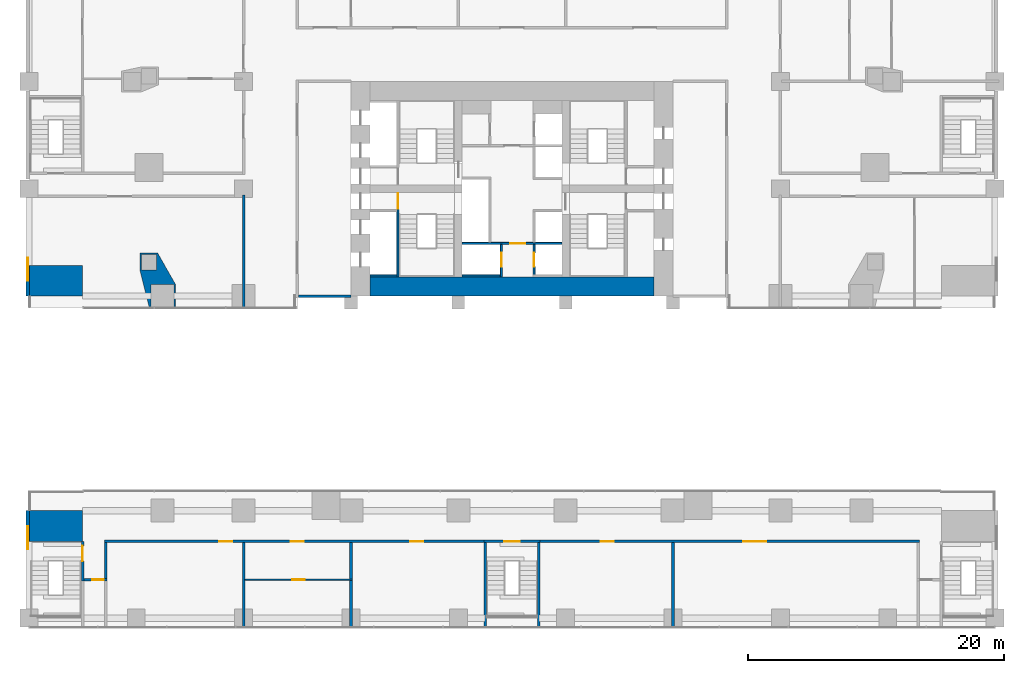
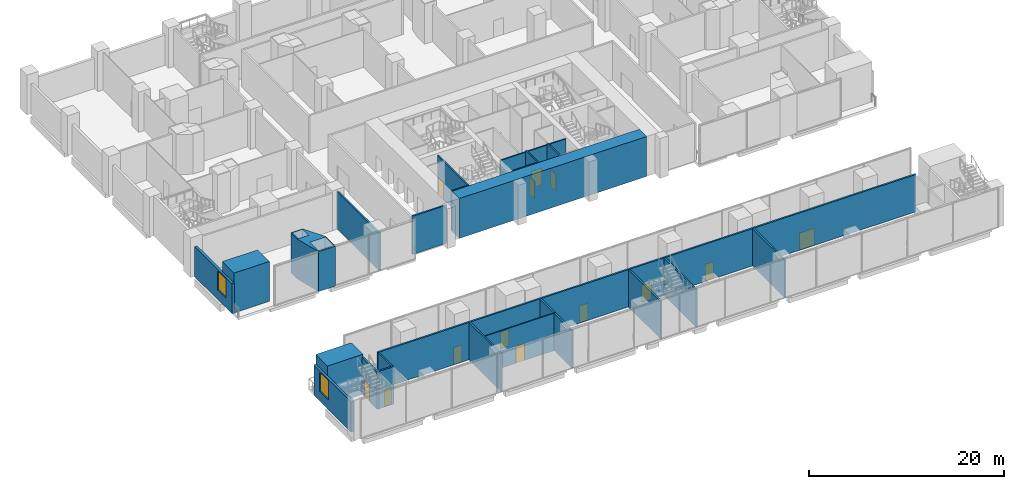
# One storey, part 11 of 24: 26 walls, 13 doors, 2 windows, 15 openings.
"""IFC4 building model written with IfcOpenShell, lengths in metres."""

from ifc_helpers import new_model, si_unit, direction, frame, frame_2d, origin, place, context, subcontext, project, spatial, polyline, rectangle, outline, extrude, material, layer, layer_set, type_object, element, fill, save


model = new_model("IFC4")

# Units and contexts
model_context = context("Model", 3, precision=1e-05, world=origin(), true_north=direction((0.0, 1.0)))
body_context = subcontext(model_context, "Body", "Model", "MODEL_VIEW")
ifc_project = project(units=[si_unit("LENGTHUNIT", "METRE"), si_unit("AREAUNIT", "SQUARE_METRE"), si_unit("VOLUMEUNIT", "CUBIC_METRE"), si_unit("PLANEANGLEUNIT", "RADIAN"), si_unit("MASSUNIT", "GRAM", prefix="KILO")], contexts=[model_context])

# Site, building, storey
site_placement = place(None, origin())
site = spatial("IfcSite", under=ifc_project, at=site_placement, CompositionType="ELEMENT")
building_placement = place(site_placement, origin())
building = spatial("IfcBuilding", under=site, at=building_placement, Name="Marenta Gate Hotel Tower", CompositionType="ELEMENT")
storey_placement = place(building_placement, frame((0.0, 0.0, 8.0)))
storey = spatial("IfcBuildingStorey", under=building, at=storey_placement, Name="L01", CompositionType="ELEMENT", Elevation=8.0)

# Wall, opening, window
ifc_material_1 = material(Name="Concrete C40 board-marked", Category="concrete")
ifc_layer_1 = layer(ifc_material_1, 0.300048828125)
ifc_layer_set_1 = layer_set([ifc_layer_1], Name="Concrete C40 board-marked")
wall_type_1 = type_object("IfcWallType", Name="Board-marked concrete wall 300 mm", PredefinedType="NOTDEFINED", material=ifc_layer_set_1)
wall_1_placement = place(storey_placement, frame((-37.889892578125, -16.800048828125, 0.0), z_axis=(0.0, 0.0, 1.0), x_axis=(0.0, -1.0, 0.0)))
wall_1 = element("IfcWall", 1, at=wall_1_placement, inside=storey, type_object=wall_type_1, Name="L01-CLD-SB-W000", PredefinedType="NOTDEFINED", context=body_context, shape_type="SweptSolid", body=[
    extrude(rectangle(XDim=7.659912109375, YDim=0.300048828125, at=frame_2d((3.830078125, 0.0))), origin(), (0.0, 0.0, 1.0), 3.780029296875),
])
opening_1_placement = place(wall_1_placement, frame((1.199951171875, 0.0, 1.199951171875)))
opening_1 = element("IfcOpeningElement", 2, at=opening_1_placement, cuts=wall_1, Name="Opening W5", PredefinedType="OPENING", context=body_context, shape_type="SweptSolid", body=[
    extrude(rectangle(XDim=1.800048828125, YDim=2.39990234375, at=frame_2d((0.89990234375, 1.199951171875))), frame((0.0, 0.14990234375, 0.0), z_axis=(0.0, -1.0, 0.0), x_axis=(1.0, 0.0, 0.0)), (0.0, 0.0, 1.0), 0.300048828125),
])
ifc_material_2 = material(Name="Tinted insulated glass in bronze anodised frame", Category="glass")
window_type = type_object("IfcWindowType", Name="Window W5 1800x2400 bronze frame", PartitioningType="SINGLE_PANEL", PredefinedType="WINDOW", material=ifc_material_2)
window_1_placement = place(opening_1_placement, origin())
window_1 = element("IfcWindow", 3, at=window_1_placement, inside=storey, type_object=window_type, Name="Window W5", OverallHeight=2.39990234375, OverallWidth=1.800048828125, PartitioningType="SINGLE_PANEL", PredefinedType="WINDOW", context=body_context, shape_type="SweptSolid", body=[
    extrude(rectangle(XDim=1.800048828125, YDim=2.39990234375, at=frame_2d((0.89990234375, 1.199951171875))), frame((0.0, 0.030029296875, 0.0), z_axis=(0.0, -1.0, 0.0), x_axis=(1.0, 0.0, 0.0)), (0.0, 0.0, 1.0), 0.06005859375),
])
fill(opening_1, window_1)

wall_2_placement = place(storey_placement, frame((-37.889892578125, 7.659912109375, 0.0), z_axis=(0.0, 0.0, 1.0), x_axis=(0.0, -1.0, 0.0)))
wall_2 = element("IfcWall", 4, at=wall_2_placement, inside=storey, type_object=wall_type_1, Name="L01-CLD-NB-W004", PredefinedType="NOTDEFINED", context=body_context, shape_type="SweptSolid", body=[
    extrude(rectangle(XDim=7.659912109375, YDim=0.300048828125, at=frame_2d((3.830078125, 0.0))), origin(), (0.0, 0.0, 1.0), 3.780029296875),
])
opening_2_placement = place(wall_2_placement, frame((4.659912109375, 0.0, 1.199951171875)))
opening_2 = element("IfcOpeningElement", 5, at=opening_2_placement, cuts=wall_2, Name="Opening W5", PredefinedType="OPENING", context=body_context, shape_type="SweptSolid", body=[
    extrude(rectangle(XDim=1.800048828125, YDim=2.39990234375, at=frame_2d((0.89990234375, 1.199951171875))), frame((0.0, 0.14990234375, 0.0), z_axis=(0.0, -1.0, 0.0), x_axis=(1.0, 0.0, 0.0)), (0.0, 0.0, 1.0), 0.300048828125),
])
window_2_placement = place(opening_2_placement, origin())
window_2 = element("IfcWindow", 6, at=window_2_placement, inside=storey, type_object=window_type, Name="Window W5", OverallHeight=2.39990234375, OverallWidth=1.800048828125, PartitioningType="SINGLE_PANEL", PredefinedType="WINDOW", context=body_context, shape_type="SweptSolid", body=[
    extrude(rectangle(XDim=1.800048828125, YDim=2.39990234375, at=frame_2d((0.89990234375, 1.199951171875))), frame((0.0, 0.030029296875, 0.0), z_axis=(0.0, -1.0, 0.0), x_axis=(1.0, 0.0, 0.0)), (0.0, 0.0, 1.0), 0.06005859375),
])
fill(opening_2, window_2)

# Wall
ifc_material_3 = material(Name="Concrete blockwork", Category="masonry")
ifc_layer_2 = layer(ifc_material_3, 0.199951171875)
ifc_layer_set_2 = layer_set([ifc_layer_2], Name="Concrete blockwork")
wall_type_2 = type_object("IfcWallType", Name="Core boundary wall 200 REI 180", PredefinedType="PARTITIONING", material=ifc_layer_set_2)
wall_3_placement = place(storey_placement, frame((-16.699951171875, 0.0, 0.0), z_axis=(0.0, 0.0, 1.0), x_axis=(1.0, 0.0, 0.0)))
element("IfcWall", 7, at=wall_3_placement, inside=storey, type_object=wall_type_2, Name="L01-CP-EW-WS", PredefinedType="PARTITIONING", context=body_context, shape_type="SweptSolid", body=[
    extrude(rectangle(XDim=4.099853515625, YDim=0.199951171875, at=frame_2d((2.0498046875, 0.0))), origin(), (0.0, 0.0, 1.0), 4.780029296875),
])

# Wall, opening, door
ifc_material_4 = material(Name="Concrete blockwork", Category="masonry")
ifc_layer_3 = layer(ifc_material_4, 0.14990234375)
ifc_layer_set_3 = layer_set([ifc_layer_3], Name="Concrete blockwork")
wall_type_3 = type_object("IfcWallType", Name="Core lobby partition 150 REI 180", PredefinedType="PARTITIONING", material=ifc_layer_set_3)
wall_4_placement = place(storey_placement, frame((-3.89990234375, 4.125, 0.0), z_axis=(0.0, 0.0, 1.0), x_axis=(1.0, 0.0, 0.0)))
wall_4 = element("IfcWall", 8, at=wall_4_placement, inside=storey, type_object=wall_type_3, Name="L01-CP-CW-S", PredefinedType="PARTITIONING", context=body_context, shape_type="SweptSolid", body=[
    extrude(rectangle(XDim=7.7998046875, YDim=0.14990234375, at=frame_2d((3.89990234375, 0.0))), origin(), (0.0, 0.0, 1.0), 4.780029296875),
])
opening_3_placement = place(wall_4_placement, frame((3.75, 0.0, 0.0)))
opening_3 = element("IfcOpeningElement", 9, at=opening_3_placement, cuts=wall_4, Name="Opening FD-FFS", PredefinedType="OPENING", context=body_context, shape_type="SweptSolid", body=[
    extrude(rectangle(XDim=1.199951171875, YDim=2.10009765625, at=frame_2d((0.60009765625, 1.050048828125))), frame((0.0, 0.074951171875, 0.0), z_axis=(0.0, -1.0, 0.0), x_axis=(1.0, 0.0, 0.0)), (0.0, 0.0, 1.0), 0.14990234375),
])
ifc_material_5 = material(Name="Steel", Category="steel")
door_type_1 = type_object("IfcDoorType", Name="Core lobby door 1200x2100 FD60", OperationType="SINGLE_SWING_LEFT", PredefinedType="DOOR", material=ifc_material_5)
door_1_placement = place(opening_3_placement, origin())
door_1 = element("IfcDoor", 10, at=door_1_placement, inside=storey, type_object=door_type_1, Name="FD-FFS", OperationType="SINGLE_SWING_LEFT", OverallHeight=2.10009765625, OverallWidth=1.199951171875, PredefinedType="DOOR", context=body_context, shape_type="SweptSolid", body=[
    extrude(rectangle(XDim=1.199951171875, YDim=2.10009765625, at=frame_2d((0.60009765625, 1.050048828125))), frame((0.0, 0.02490234375, 0.0), z_axis=(0.0, -1.0, 0.0), x_axis=(1.0, 0.0, 0.0)), (0.0, 0.0, 1.0), 0.050048828125),
])
fill(opening_3, door_1)

# Wall
ifc_material_6 = material(Name="Concrete C40", Category="concrete")
ifc_layer_4 = layer(ifc_material_6, 0.14990234375)
ifc_layer_set_4 = layer_set([ifc_layer_4], Name="Concrete C40")
wall_type_4 = type_object("IfcWallType", Name="Core shaft wall 150 REI 180", PredefinedType="SHEAR", material=ifc_layer_set_4)
wall_5_placement = place(storey_placement, frame((-11.10009765625, 1.574951171875, 0.0), z_axis=(0.0, 0.0, 1.0), x_axis=(1.0, 0.0, 0.0)))
element("IfcWall", 11, at=wall_5_placement, inside=storey, type_object=wall_type_4, Name="L01-SHF-SW-WS-5", PredefinedType="SHEAR", context=body_context, shape_type="SweptSolid", body=[
    extrude(rectangle(XDim=2.10009765625, YDim=0.14990234375, at=frame_2d((1.050048828125, 0.0))), origin(), (0.0, 0.0, 1.0), 5.0),
])

# Wall, opening, door
wall_6_placement = place(storey_placement, frame((-0.824951171875, 1.5, 0.0), z_axis=(0.0, 0.0, 1.0), x_axis=(0.0, 1.0, 0.0)))
wall_6 = element("IfcWall", 12, at=wall_6_placement, inside=storey, type_object=wall_type_4, Name="L01-SHF-CW-W-ff", PredefinedType="SHEAR", context=body_context, shape_type="SweptSolid", body=[
    extrude(rectangle(XDim=2.550048828125, YDim=0.14990234375, at=frame_2d((1.27490234375, 0.0))), origin(), (0.0, 0.0, 1.0), 5.0),
])
opening_4_placement = place(wall_6_placement, frame((0.800048828125, 0.0, 0.0)))
opening_4 = element("IfcOpeningElement", 13, at=opening_4_placement, cuts=wall_6, Name="Opening LD-FF1", PredefinedType="OPENING", context=body_context, shape_type="SweptSolid", body=[
    extrude(rectangle(XDim=1.10009765625, YDim=2.10009765625, at=frame_2d((0.550048828125, 1.050048828125))), frame((0.0, 0.074951171875, 0.0), z_axis=(0.0, -1.0, 0.0), x_axis=(1.0, 0.0, 0.0)), (0.0, 0.0, 1.0), 0.14990234375),
])
ifc_material_7 = material(Name="Steel", Category="steel")
door_type_2 = type_object("IfcDoorType", Name="Core lift landing door 1100x2100 E 60", OperationType="SLIDING_TO_LEFT", PredefinedType="DOOR", material=ifc_material_7)
door_2_placement = place(opening_4_placement, origin())
door_2 = element("IfcDoor", 14, at=door_2_placement, inside=storey, type_object=door_type_2, Name="LD-FF1", OperationType="SLIDING_TO_LEFT", OverallHeight=2.10009765625, OverallWidth=1.10009765625, PredefinedType="DOOR", context=body_context, shape_type="SweptSolid", body=[
    extrude(rectangle(XDim=1.10009765625, YDim=2.10009765625, at=frame_2d((0.550048828125, 1.050048828125))), frame((0.0, 0.02490234375, 0.0), z_axis=(0.0, -1.0, 0.0), x_axis=(1.0, 0.0, 0.0)), (0.0, 0.0, 1.0), 0.050048828125),
])
fill(opening_4, door_2)

# Wall
wall_7_placement = place(storey_placement, frame((-3.89990234375, 1.574951171875, 0.0), z_axis=(0.0, 0.0, 1.0), x_axis=(1.0, 0.0, 0.0)))
element("IfcWall", 15, at=wall_7_placement, inside=storey, type_object=wall_type_4, Name="L01-SHF-CW-W-ffs", PredefinedType="SHEAR", context=body_context, shape_type="SweptSolid", body=[
    extrude(rectangle(XDim=3.0, YDim=0.14990234375, at=frame_2d((1.5, 0.0))), origin(), (0.0, 0.0, 1.0), 5.0),
])

# Wall, opening, door
wall_8_placement = place(storey_placement, frame((1.72509765625, 1.64990234375, 0.0), z_axis=(0.0, 0.0, 1.0), x_axis=(0.0, 1.0, 0.0)))
wall_8 = element("IfcWall", 16, at=wall_8_placement, inside=storey, type_object=wall_type_4, Name="L01-SHF-CE-S-ls", PredefinedType="SHEAR", context=body_context, shape_type="SweptSolid", body=[
    extrude(rectangle(XDim=2.400146484375, YDim=0.14990234375, at=frame_2d((1.2001953125, 0.0))), origin(), (0.0, 0.0, 1.0), 5.0),
])
opening_5_placement = place(wall_8_placement, frame((0.64990234375, 0.0, 0.0)))
opening_5 = element("IfcOpeningElement", 17, at=opening_5_placement, cuts=wall_8, Name="Opening LD-SV1", PredefinedType="OPENING", context=body_context, shape_type="SweptSolid", body=[
    extrude(rectangle(XDim=1.10009765625, YDim=2.10009765625, at=frame_2d((0.550048828125, 1.050048828125))), frame((0.0, 0.074951171875, 0.0), z_axis=(0.0, -1.0, 0.0), x_axis=(1.0, 0.0, 0.0)), (0.0, 0.0, 1.0), 0.14990234375),
])
door_3_placement = place(opening_5_placement, origin())
door_3 = element("IfcDoor", 18, at=door_3_placement, inside=storey, type_object=door_type_2, Name="LD-SV1", OperationType="SLIDING_TO_LEFT", OverallHeight=2.10009765625, OverallWidth=1.10009765625, PredefinedType="DOOR", context=body_context, shape_type="SweptSolid", body=[
    extrude(rectangle(XDim=1.10009765625, YDim=2.10009765625, at=frame_2d((0.550048828125, 1.050048828125))), frame((0.0, 0.02490234375, 0.0), z_axis=(0.0, -1.0, 0.0), x_axis=(1.0, 0.0, 0.0)), (0.0, 0.0, 1.0), 0.050048828125),
])
fill(opening_5, door_3)

ifc_material_8 = material(Name="Concrete C40", Category="concrete")
ifc_layer_5 = layer(ifc_material_8, 0.14990234375)
ifc_layer_set_5 = layer_set([ifc_layer_5], Name="Concrete C40")
wall_type_5 = type_object("IfcWallType", Name="Core stair enclosure wall 150 REI 180", PredefinedType="SHEAR", material=ifc_layer_set_5)
wall_9_placement = place(storey_placement, frame((-8.925048828125, 1.5, 0.0), z_axis=(0.0, 0.0, 1.0), x_axis=(0.0, 1.0, 0.0)))
wall_9 = element("IfcWall", 19, at=wall_9_placement, inside=storey, type_object=wall_type_5, Name="L01-SHF-SW-WS-3", PredefinedType="SHEAR", context=body_context, shape_type="SweptSolid", body=[
    extrude(rectangle(XDim=6.60009765625, YDim=0.14990234375, at=frame_2d((3.300048828125, 0.0))), origin(), (0.0, 0.0, 1.0), 4.780029296875),
])
opening_6_placement = place(wall_9_placement, frame((5.324951171875, 0.0, 0.0)))
opening_6 = element("IfcOpeningElement", 20, at=opening_6_placement, cuts=wall_9, Name="Opening SD-WS", PredefinedType="OPENING", context=body_context, shape_type="SweptSolid", body=[
    extrude(rectangle(XDim=1.199951171875, YDim=2.10009765625, at=frame_2d((0.60009765625, 1.050048828125))), frame((0.0, 0.074951171875, 0.0), z_axis=(0.0, -1.0, 0.0), x_axis=(1.0, 0.0, 0.0)), (0.0, 0.0, 1.0), 0.14990234375),
])
ifc_material_9 = material(Name="Steel", Category="steel")
door_type_3 = type_object("IfcDoorType", Name="Core stair door 1200x2100 FD60", OperationType="SINGLE_SWING_LEFT", PredefinedType="DOOR", material=ifc_material_9)
door_4_placement = place(opening_6_placement, origin())
door_4 = element("IfcDoor", 21, at=door_4_placement, inside=storey, type_object=door_type_3, Name="SD-WS", OperationType="SINGLE_SWING_LEFT", OverallHeight=2.10009765625, OverallWidth=1.199951171875, PredefinedType="DOOR", context=body_context, shape_type="SweptSolid", body=[
    extrude(rectangle(XDim=1.199951171875, YDim=2.10009765625, at=frame_2d((0.60009765625, 1.050048828125))), frame((0.0, 0.02490234375, 0.0), z_axis=(0.0, -1.0, 0.0), x_axis=(1.0, 0.0, 0.0)), (0.0, 0.0, 1.0), 0.050048828125),
])
fill(opening_6, door_4)

# Walls
ifc_material_10 = material(Name="Concrete C80", Category="concrete")
ifc_layer_6 = layer(ifc_material_10, 1.5)
ifc_layer_set_6 = layer_set([ifc_layer_6], Name="Concrete C80")
wall_type_6 = type_object("IfcWallType", Name="Core wall 1500 C80", PredefinedType="SHEAR", material=ifc_layer_set_6)
wall_10_placement = place(storey_placement, frame((-11.10009765625, 0.75, 0.0), z_axis=(0.0, 0.0, 1.0), x_axis=(1.0, 0.0, 0.0)))
element("IfcWall", 22, at=wall_10_placement, inside=storey, type_object=wall_type_6, Name="L01-CORE-S", PredefinedType="SHEAR", context=body_context, shape_type="SweptSolid", body=[
    extrude(rectangle(XDim=22.2001953125, YDim=1.5, at=frame_2d((11.10009765625, 0.0))), origin(), (0.0, 0.0, 1.0), 5.0),
])
ifc_material_11 = material(Name="Concrete C80", Category="concrete")
ifc_layer_7 = layer(ifc_material_11, 2.39990234375)
ifc_layer_set_7 = layer_set([ifc_layer_7], Name="Concrete C80")
wall_type_7 = type_object("IfcWallType", Name="Gate pier wall 2400 C80", PredefinedType="SOLIDWALL", material=ifc_layer_set_7)
for number, where, z_axis, x_axis, name in (
    (23, (-37.800048828125, -18.0, 0.0), (0.0, 0.0, 1.0), (1.0, 0.0, 0.0), "PW1 L01-PWL-WS"),
    (24, (-37.800048828125, 1.199951171875, 0.0), (0.0, 0.0, 1.0), (1.0, 0.0, 0.0), "PW1 L01-PWL-WN"),
):
    element("IfcWall", number, at=place(storey_placement, frame(where, z_axis=z_axis, x_axis=x_axis)), inside=storey, type_object=wall_type_7, Name=name, PredefinedType="SOLIDWALL", context=body_context, shape_type="SweptSolid", body=[
        extrude(rectangle(XDim=4.199951171875, YDim=2.39990234375, at=frame_2d((2.10009765625, 0.0))), origin(), (0.0, 0.0, 1.0), 5.0),
    ])
ifc_material_12 = material(Name="Concrete C70", Category="concrete")
ifc_layer_8 = layer(ifc_material_12, 1.60009765625)
ifc_layer_set_8 = layer_set([ifc_layer_8], Name="Concrete C70")
wall_type_8 = type_object("IfcWallType", Name="Pier wall board-marked concrete C70", PredefinedType="SOLIDWALL", material=ifc_layer_set_8)
wall_11_placement = place(storey_placement, origin())
element("IfcWall", 25, at=wall_11_placement, inside=storey, type_object=wall_type_8, Name="L01-PIER-1", PredefinedType="SOLIDWALL", context=body_context, shape_type="SweptSolid", body=[
    extrude(outline(polyline([(-29.1201171875, 2.034423828125), (-29.1201171875, 3.369140625), (-27.730224609375, 3.369140625), (-26.343017578125, 0.931640625), (-26.343017578125, -1.02001953125), (-28.356689453125, -1.02001953125), (-29.1201171875, 2.034423828125)]), holes=[polyline([(-28.262939453125, -0.89990234375), (-26.462890625, -0.89990234375), (-26.462890625, 0.89990234375), (-28.262939453125, 0.89990234375), (-28.262939453125, -0.89990234375)]), polyline([(-29.0, 2.049072265625), (-27.800048828125, 2.049072265625), (-27.800048828125, 3.2490234375), (-29.0, 3.2490234375), (-29.0, 2.049072265625)])]), origin(), (0.0, 0.0, 1.0), 5.0),
])

# Wall, openings, doors
ifc_material_13 = material(Name="Gypsum board on steel stud", Category="steel")
ifc_layer_9 = layer(ifc_material_13, 0.199951171875)
ifc_layer_set_9 = layer_set([ifc_layer_9], Name="Gypsum board on steel stud")
wall_type_9 = type_object("IfcWallType", Name="Room corridor wall 200 EI 60", PredefinedType="PARTITIONING", material=ifc_layer_set_9)
wall_12_placement = place(storey_placement, frame((-31.89990234375, -19.199951171875, 0.0), z_axis=(0.0, 0.0, 1.0), x_axis=(1.0, 0.0, 0.0)))
wall_12 = element("IfcWall", 26, at=wall_12_placement, inside=storey, type_object=wall_type_9, Name="L01-PTN-W017", PredefinedType="PARTITIONING", context=body_context, shape_type="SweptSolid", body=[
    extrude(rectangle(XDim=29.699951171875, YDim=0.199951171875, at=frame_2d((14.85009765625, 0.0))), origin(), (0.0, 0.0, 1.0), 4.679931640625),
])
opening_7_placement = place(wall_12_placement, frame((9.0, 0.0, 0.0)))
opening_7 = element("IfcOpeningElement", 27, at=opening_7_placement, cuts=wall_12, Name="Opening S02-29", PredefinedType="OPENING", context=body_context, shape_type="SweptSolid", body=[
    extrude(rectangle(XDim=1.0, YDim=2.10009765625, at=frame_2d((0.5, 1.050048828125))), frame((0.0, 0.10009765625, 0.0), z_axis=(0.0, -1.0, 0.0), x_axis=(1.0, 0.0, 0.0)), (0.0, 0.0, 1.0), 0.199951171875),
])
opening_8_placement = place(wall_12_placement, frame((14.60009765625, 0.0, 0.0)))
opening_8 = element("IfcOpeningElement", 28, at=opening_8_placement, cuts=wall_12, Name="Opening S02-30", PredefinedType="OPENING", context=body_context, shape_type="SweptSolid", body=[
    extrude(rectangle(XDim=1.0, YDim=2.10009765625, at=frame_2d((0.5, 1.050048828125))), frame((0.0, 0.10009765625, 0.0), z_axis=(0.0, -1.0, 0.0), x_axis=(1.0, 0.0, 0.0)), (0.0, 0.0, 1.0), 0.199951171875),
])
opening_9_placement = place(wall_12_placement, frame((23.949951171875, 0.0, 0.0)))
opening_9 = element("IfcOpeningElement", 29, at=opening_9_placement, cuts=wall_12, Name="Opening S02-32", PredefinedType="OPENING", context=body_context, shape_type="SweptSolid", body=[
    extrude(rectangle(XDim=1.0, YDim=2.10009765625, at=frame_2d((0.5, 1.050048828125))), frame((0.0, 0.10009765625, 0.0), z_axis=(0.0, -1.0, 0.0), x_axis=(1.0, 0.0, 0.0)), (0.0, 0.0, 1.0), 0.199951171875),
])
ifc_material_14 = material(Name="Timber door leaf", Category="wood")
door_type_4 = type_object("IfcDoorType", Name="Room amenity door 1000x2100 EI 30", OperationType="NOTDEFINED", PredefinedType="DOOR", material=ifc_material_14)
door_5_placement = place(opening_7_placement, origin())
door_5 = element("IfcDoor", 30, at=door_5_placement, inside=storey, type_object=door_type_4, Name="L01-PD-D029", OperationType="SINGLE_SWING_RIGHT", OverallHeight=2.10009765625, OverallWidth=1.0, PredefinedType="DOOR", context=body_context, shape_type="SweptSolid", body=[
    extrude(rectangle(XDim=1.0, YDim=2.10009765625, at=frame_2d((0.5, 1.050048828125))), frame((0.0, 0.02490234375, 0.0), z_axis=(0.0, -1.0, 0.0), x_axis=(1.0, 0.0, 0.0)), (0.0, 0.0, 1.0), 0.050048828125),
])
fill(opening_7, door_5)
door_6_placement = place(opening_8_placement, origin())
door_6 = element("IfcDoor", 31, at=door_6_placement, inside=storey, type_object=door_type_4, Name="L01-PD-D030", OperationType="SINGLE_SWING_RIGHT", OverallHeight=2.10009765625, OverallWidth=1.0, PredefinedType="DOOR", context=body_context, shape_type="SweptSolid", body=[
    extrude(rectangle(XDim=1.0, YDim=2.10009765625, at=frame_2d((0.5, 1.050048828125))), frame((0.0, 0.02490234375, 0.0), z_axis=(0.0, -1.0, 0.0), x_axis=(1.0, 0.0, 0.0)), (0.0, 0.0, 1.0), 0.050048828125),
])
fill(opening_8, door_6)
door_7_placement = place(opening_9_placement, origin())
door_7 = element("IfcDoor", 32, at=door_7_placement, inside=storey, type_object=door_type_4, Name="L01-PD-D032", OperationType="SINGLE_SWING_RIGHT", OverallHeight=2.10009765625, OverallWidth=1.0, PredefinedType="DOOR", context=body_context, shape_type="SweptSolid", body=[
    extrude(rectangle(XDim=1.0, YDim=2.10009765625, at=frame_2d((0.5, 1.050048828125))), frame((0.0, 0.02490234375, 0.0), z_axis=(0.0, -1.0, 0.0), x_axis=(1.0, 0.0, 0.0)), (0.0, 0.0, 1.0), 0.050048828125),
])
fill(opening_9, door_7)

wall_13_placement = place(storey_placement, frame((2.199951171875, -19.199951171875, 0.0), z_axis=(0.0, 0.0, 1.0), x_axis=(1.0, 0.0, 0.0)))
wall_13 = element("IfcWall", 33, at=wall_13_placement, inside=storey, type_object=wall_type_9, Name="L01-PTN-W018", PredefinedType="PARTITIONING", context=body_context, shape_type="SweptSolid", body=[
    extrude(rectangle(XDim=29.699951171875, YDim=0.199951171875, at=frame_2d((14.85009765625, 0.0))), origin(), (0.0, 0.0, 1.0), 4.679931640625),
])
opening_10_placement = place(wall_13_placement, frame((4.75, 0.0, 0.0)))
opening_10 = element("IfcOpeningElement", 34, at=opening_10_placement, cuts=wall_13, Name="Opening S02-33", PredefinedType="OPENING", context=body_context, shape_type="SweptSolid", body=[
    extrude(rectangle(XDim=1.0, YDim=2.10009765625, at=frame_2d((0.5, 1.050048828125))), frame((0.0, 0.10009765625, 0.0), z_axis=(0.0, -1.0, 0.0), x_axis=(1.0, 0.0, 0.0)), (0.0, 0.0, 1.0), 0.199951171875),
])
opening_11_placement = place(wall_13_placement, frame((15.89990234375, 0.0, 0.0)))
opening_11 = element("IfcOpeningElement", 35, at=opening_11_placement, cuts=wall_13, Name="Opening S02-34", PredefinedType="OPENING", context=body_context, shape_type="SweptSolid", body=[
    extrude(rectangle(XDim=1.800048828125, YDim=2.10009765625, at=frame_2d((0.89990234375, 1.050048828125))), frame((0.0, 0.10009765625, 0.0), z_axis=(0.0, -1.0, 0.0), x_axis=(1.0, 0.0, 0.0)), (0.0, 0.0, 1.0), 0.199951171875),
])
door_8_placement = place(opening_10_placement, origin())
door_8 = element("IfcDoor", 36, at=door_8_placement, inside=storey, type_object=door_type_4, Name="L01-PD-D033", OperationType="SINGLE_SWING_LEFT", OverallHeight=2.10009765625, OverallWidth=1.0, PredefinedType="DOOR", context=body_context, shape_type="SweptSolid", body=[
    extrude(rectangle(XDim=1.0, YDim=2.10009765625, at=frame_2d((0.5, 1.050048828125))), frame((0.0, 0.02490234375, 0.0), z_axis=(0.0, -1.0, 0.0), x_axis=(1.0, 0.0, 0.0)), (0.0, 0.0, 1.0), 0.050048828125),
])
fill(opening_10, door_8)
ifc_material_15 = material(Name="Timber door leaf", Category="wood")
door_type_5 = type_object("IfcDoorType", Name="Room amenity door 1800x2100 EI 30", OperationType="DOUBLE_DOOR_SINGLE_SWING", PredefinedType="DOOR", material=ifc_material_15)
door_9_placement = place(opening_11_placement, origin())
door_9 = element("IfcDoor", 37, at=door_9_placement, inside=storey, type_object=door_type_5, Name="L01-PD-D034", OperationType="DOUBLE_DOOR_SINGLE_SWING", OverallHeight=2.10009765625, OverallWidth=1.800048828125, PredefinedType="DOOR", context=body_context, shape_type="SweptSolid", body=[
    extrude(rectangle(XDim=1.800048828125, YDim=2.10009765625, at=frame_2d((0.89990234375, 1.050048828125))), frame((0.0, 0.02490234375, 0.0), z_axis=(0.0, -1.0, 0.0), x_axis=(1.0, 0.0, 0.0)), (0.0, 0.0, 1.0), 0.050048828125),
])
fill(opening_11, door_9)

# Wall
wall_14_placement = place(storey_placement, frame((-21.0, -0.89404296875, 0.0), z_axis=(0.0, 0.0, 1.0), x_axis=(0.0, 1.0, 0.0)))
element("IfcWall", 38, at=wall_14_placement, inside=storey, type_object=wall_type_9, Name="L01-PTN-W049", PredefinedType="PARTITIONING", context=body_context, shape_type="SweptSolid", body=[
    extrude(rectangle(XDim=8.7939453125, YDim=0.199951171875, at=frame_2d((4.39697265625, 0.0))), origin(), (0.0, 0.0, 1.0), 4.679931640625),
])

# Wall, opening, door
ifc_material_16 = material(Name="Concrete blockwork", Category="masonry")
ifc_layer_10 = layer(ifc_material_16, 0.199951171875)
ifc_layer_set_10 = layer_set([ifc_layer_10], Name="Concrete blockwork")
wall_type_10 = type_object("IfcWallType", Name="Room corridor wall 200 REI 180", PredefinedType="PARTITIONING", material=ifc_layer_set_10)
wall_15_placement = place(storey_placement, frame((-33.5, -22.199951171875, 0.0), z_axis=(0.0, 0.0, 1.0), x_axis=(1.0, 0.0, 0.0)))
wall_15 = element("IfcWall", 39, at=wall_15_placement, inside=storey, type_object=wall_type_10, Name="L01-PTN-W010", PredefinedType="PARTITIONING", context=body_context, shape_type="SweptSolid", body=[
    extrude(rectangle(XDim=1.800048828125, YDim=0.199951171875, at=frame_2d((0.89990234375, 0.0))), origin(), (0.0, 0.0, 1.0), 4.679931640625),
])
opening_12_placement = place(wall_15_placement, frame((0.64990234375, 0.0, 0.0)))
opening_12 = element("IfcOpeningElement", 40, at=opening_12_placement, cuts=wall_15, Name="Opening S02-26", PredefinedType="OPENING", context=body_context, shape_type="SweptSolid", body=[
    extrude(rectangle(XDim=0.89990234375, YDim=2.10009765625, at=frame_2d((0.449951171875, 1.050048828125))), frame((0.0, 0.10009765625, 0.0), z_axis=(0.0, -1.0, 0.0), x_axis=(1.0, 0.0, 0.0)), (0.0, 0.0, 1.0), 0.199951171875),
])
ifc_material_17 = material(Name="Hollow steel door set", Category="steel")
door_type_6 = type_object("IfcDoorType", Name="Room service door 900x2100 EI 60", OperationType="NOTDEFINED", PredefinedType="DOOR", material=ifc_material_17)
door_10_placement = place(opening_12_placement, origin())
door_10 = element("IfcDoor", 41, at=door_10_placement, inside=storey, type_object=door_type_6, Name="L01-PD-D026", OperationType="SINGLE_SWING_LEFT", OverallHeight=2.10009765625, OverallWidth=0.89990234375, PredefinedType="DOOR", context=body_context, shape_type="SweptSolid", body=[
    extrude(rectangle(XDim=0.89990234375, YDim=2.10009765625, at=frame_2d((0.449951171875, 1.050048828125))), frame((0.0, 0.02490234375, 0.0), z_axis=(0.0, -1.0, 0.0), x_axis=(1.0, 0.0, 0.0)), (0.0, 0.0, 1.0), 0.050048828125),
])
fill(opening_12, door_10)

wall_16_placement = place(storey_placement, frame((-2.199951171875, -19.199951171875, 0.0), z_axis=(0.0, 0.0, 1.0), x_axis=(1.0, 0.0, 0.0)))
wall_16 = element("IfcWall", 42, at=wall_16_placement, inside=storey, type_object=wall_type_10, Name="L01-PTN-W019", PredefinedType="PARTITIONING", context=body_context, shape_type="SweptSolid", body=[
    extrude(rectangle(XDim=4.39990234375, YDim=0.199951171875, at=frame_2d((2.199951171875, 0.0))), origin(), (0.0, 0.0, 1.0), 4.679931640625),
])
opening_13_placement = place(wall_16_placement, frame((1.60009765625, 0.0, 0.0)))
opening_13 = element("IfcOpeningElement", 43, at=opening_13_placement, cuts=wall_16, Name="Opening S02-35", PredefinedType="OPENING", context=body_context, shape_type="SweptSolid", body=[
    extrude(rectangle(XDim=1.199951171875, YDim=2.10009765625, at=frame_2d((0.60009765625, 1.050048828125))), frame((0.0, 0.10009765625, 0.0), z_axis=(0.0, -1.0, 0.0), x_axis=(1.0, 0.0, 0.0)), (0.0, 0.0, 1.0), 0.199951171875),
])
ifc_material_18 = material(Name="Hollow steel door set", Category="steel")
door_type_7 = type_object("IfcDoorType", Name="Podium stair door 1200x2100 EI 60", OperationType="NOTDEFINED", PredefinedType="DOOR", material=ifc_material_18)
door_11_placement = place(opening_13_placement, origin())
door_11 = element("IfcDoor", 44, at=door_11_placement, inside=storey, type_object=door_type_7, Name="L01-PD-D035", OperationType="SINGLE_SWING_LEFT", OverallHeight=2.10009765625, OverallWidth=1.199951171875, PredefinedType="DOOR", context=body_context, shape_type="SweptSolid", body=[
    extrude(rectangle(XDim=1.199951171875, YDim=2.10009765625, at=frame_2d((0.60009765625, 1.050048828125))), frame((0.0, 0.02490234375, 0.0), z_axis=(0.0, -1.0, 0.0), x_axis=(1.0, 0.0, 0.0)), (0.0, 0.0, 1.0), 0.050048828125),
])
fill(opening_13, door_11)

# Wall
wall_17_placement = place(storey_placement, frame((-31.800048828125, -22.10009765625, 0.0), z_axis=(0.0, 0.0, 1.0), x_axis=(0.0, 1.0, 0.0)))
element("IfcWall", 45, at=wall_17_placement, inside=storey, type_object=wall_type_10, Name="L01-PTN-W066", PredefinedType="PARTITIONING", context=body_context, shape_type="SweptSolid", body=[
    extrude(rectangle(XDim=2.800048828125, YDim=0.199951171875, at=frame_2d((1.39990234375, 0.0))), origin(), (0.0, 0.0, 1.0), 4.679931640625),
])

# Wall, opening, door
wall_18_placement = place(storey_placement, frame((-33.60009765625, -22.300048828125, 0.0), z_axis=(0.0, 0.0, 1.0), x_axis=(0.0, 1.0, 0.0)))
wall_18 = element("IfcWall", 46, at=wall_18_placement, inside=storey, type_object=wall_type_10, Name="L01-PTN-W069", PredefinedType="PARTITIONING", context=body_context, shape_type="SweptSolid", body=[
    extrude(rectangle(XDim=3.10009765625, YDim=0.199951171875, at=frame_2d((1.550048828125, 0.0))), origin(), (0.0, 0.0, 1.0), 4.679931640625),
])
opening_14_placement = place(wall_18_placement, frame((1.550048828125, 0.0, 0.0)))
opening_14 = element("IfcOpeningElement", 47, at=opening_14_placement, cuts=wall_18, Name="Opening S02-25", PredefinedType="OPENING", context=body_context, shape_type="SweptSolid", body=[
    extrude(rectangle(XDim=1.199951171875, YDim=2.10009765625, at=frame_2d((0.60009765625, 1.050048828125))), frame((0.0, 0.10009765625, 0.0), z_axis=(0.0, -1.0, 0.0), x_axis=(1.0, 0.0, 0.0)), (0.0, 0.0, 1.0), 0.199951171875),
])
door_12_placement = place(opening_14_placement, origin())
door_12 = element("IfcDoor", 48, at=door_12_placement, inside=storey, type_object=door_type_7, Name="L01-PD-D025", OperationType="SINGLE_SWING_RIGHT", OverallHeight=2.10009765625, OverallWidth=1.199951171875, PredefinedType="DOOR", context=body_context, shape_type="SweptSolid", body=[
    extrude(rectangle(XDim=1.199951171875, YDim=2.10009765625, at=frame_2d((0.60009765625, 1.050048828125))), frame((0.0, 0.02490234375, 0.0), z_axis=(0.0, -1.0, 0.0), x_axis=(1.0, 0.0, 0.0)), (0.0, 0.0, 1.0), 0.050048828125),
])
fill(opening_14, door_12)

ifc_material_19 = material(Name="Gypsum board on steel stud", Category="steel")
ifc_layer_11 = layer(ifc_material_19, 0.10009765625)
ifc_layer_set_11 = layer_set([ifc_layer_11], Name="Gypsum board on steel stud")
wall_type_11 = type_object("IfcWallType", Name="Room partition 100", PredefinedType="PARTITIONING", material=ifc_layer_set_11)
wall_19_placement = place(storey_placement, frame((-20.89990234375, -22.199951171875, 0.0), z_axis=(0.0, 0.0, 1.0), x_axis=(1.0, 0.0, 0.0)))
wall_19 = element("IfcWall", 49, at=wall_19_placement, inside=storey, type_object=wall_type_11, Name="L01-PTN-W012", PredefinedType="PARTITIONING", context=body_context, shape_type="SweptSolid", body=[
    extrude(rectangle(XDim=8.39990234375, YDim=0.10009765625, at=frame_2d((4.199951171875, 0.0))), origin(), (0.0, 0.0, 1.0), 4.679931640625),
])
opening_15_placement = place(wall_19_placement, frame((3.699951171875, 0.0, 0.0)))
opening_15 = element("IfcOpeningElement", 50, at=opening_15_placement, cuts=wall_19, Name="Opening S02-31", PredefinedType="OPENING", context=body_context, shape_type="SweptSolid", body=[
    extrude(rectangle(XDim=1.0, YDim=2.10009765625, at=frame_2d((0.5, 1.050048828125))), frame((0.0, 0.050048828125, 0.0), z_axis=(0.0, -1.0, 0.0), x_axis=(1.0, 0.0, 0.0)), (0.0, 0.0, 1.0), 0.10009765625),
])
ifc_material_20 = material(Name="Timber door leaf", Category="wood")
door_type_8 = type_object("IfcDoorType", Name="Room inner door 1000x2100", OperationType="NOTDEFINED", PredefinedType="DOOR", material=ifc_material_20)
door_13_placement = place(opening_15_placement, origin())
door_13 = element("IfcDoor", 51, at=door_13_placement, inside=storey, type_object=door_type_8, Name="L01-PD-D031", OperationType="SINGLE_SWING_LEFT", OverallHeight=2.10009765625, OverallWidth=1.0, PredefinedType="DOOR", context=body_context, shape_type="SweptSolid", body=[
    extrude(rectangle(XDim=1.0, YDim=2.10009765625, at=frame_2d((0.5, 1.050048828125))), frame((0.0, 0.02490234375, 0.0), z_axis=(0.0, -1.0, 0.0), x_axis=(1.0, 0.0, 0.0)), (0.0, 0.0, 1.0), 0.050048828125),
])
fill(opening_15, door_13)

# Walls
ifc_material_21 = material(Name="Concrete blockwork", Category="masonry")
ifc_layer_12 = layer(ifc_material_21, 0.199951171875)
ifc_layer_set_12 = layer_set([ifc_layer_12], Name="Concrete blockwork")
wall_type_12 = type_object("IfcWallType", Name="Room party wall 200 EI 120", PredefinedType="PARTITIONING", material=ifc_layer_set_12)
for number, where, z_axis, x_axis, name in (
    (52, (-12.60009765625, -25.888916015625, 0.0), (0.0, 0.0, 1.0), (0.0, 1.0, 0.0), "L01-PTN-W037"),
    (53, (-21.0, -25.888916015625, 0.0), (0.0, 0.0, 1.0), (0.0, 1.0, 0.0), "L01-PTN-W048"),
):
    element("IfcWall", number, at=place(storey_placement, frame(where, z_axis=z_axis, x_axis=x_axis)), inside=storey, type_object=wall_type_12, Name=name, PredefinedType="PARTITIONING", context=body_context, shape_type="SweptSolid", body=[
        extrude(rectangle(XDim=6.5888671875, YDim=0.199951171875, at=frame_2d((3.29443359375, 0.0))), origin(), (0.0, 0.0, 1.0), 4.679931640625),
    ])
ifc_material_22 = material(Name="Gypsum board on steel stud", Category="steel")
ifc_layer_13 = layer(ifc_material_22, 0.199951171875)
ifc_layer_set_13 = layer_set([ifc_layer_13], Name="Gypsum board on steel stud")
wall_type_13 = type_object("IfcWallType", Name="Room party wall 200 EI 60", PredefinedType="PARTITIONING", material=ifc_layer_set_13)
wall_20_placement = place(storey_placement, frame((12.60009765625, -25.888916015625, 0.0), z_axis=(0.0, 0.0, 1.0), x_axis=(0.0, 1.0, 0.0)))
element("IfcWall", 54, at=wall_20_placement, inside=storey, type_object=wall_type_13, Name="L01-PTN-W022", PredefinedType="PARTITIONING", context=body_context, shape_type="SweptSolid", body=[
    extrude(rectangle(XDim=6.5888671875, YDim=0.199951171875, at=frame_2d((3.29443359375, 0.0))), origin(), (0.0, 0.0, 1.0), 4.679931640625),
])
ifc_material_23 = material(Name="Concrete blockwork", Category="masonry")
ifc_layer_14 = layer(ifc_material_23, 0.199951171875)
ifc_layer_set_14 = layer_set([ifc_layer_14], Name="Concrete blockwork")
wall_type_14 = type_object("IfcWallType", Name="Room party wall 200 REI 180", PredefinedType="PARTITIONING", material=ifc_layer_set_14)
for number, where, z_axis, x_axis, name in (
    (55, (2.10009765625, -25.888916015625, 0.0), (0.0, 0.0, 1.0), (0.0, 1.0, 0.0), "L01-PTN-W025"),
    (56, (-2.10009765625, -25.888916015625, 0.0), (0.0, 0.0, 1.0), (0.0, 1.0, 0.0), "L01-PTN-W028"),
):
    element("IfcWall", number, at=place(storey_placement, frame(where, z_axis=z_axis, x_axis=x_axis)), inside=storey, type_object=wall_type_14, Name=name, PredefinedType="PARTITIONING", context=body_context, shape_type="SweptSolid", body=[
        extrude(rectangle(XDim=6.5888671875, YDim=0.199951171875, at=frame_2d((3.29443359375, 0.0))), origin(), (0.0, 0.0, 1.0), 4.679931640625),
    ])

save(model, "model.ifc")
